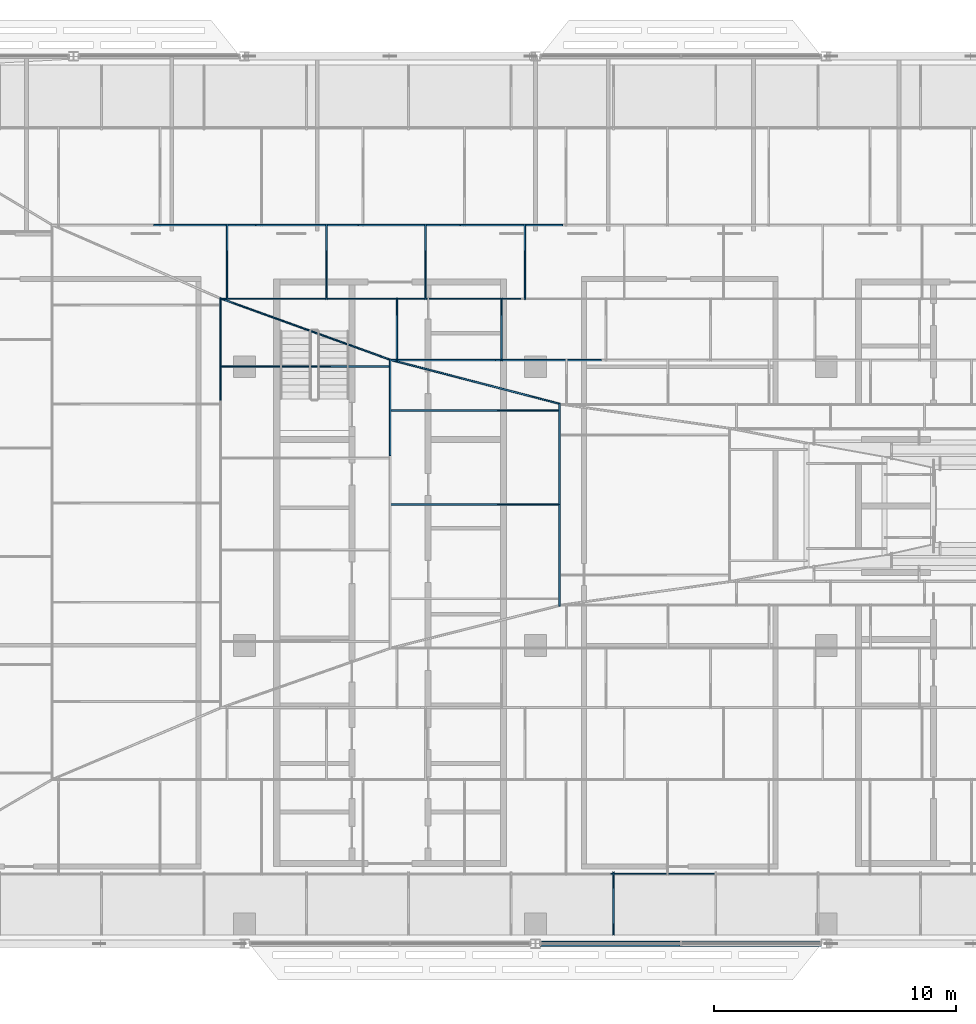
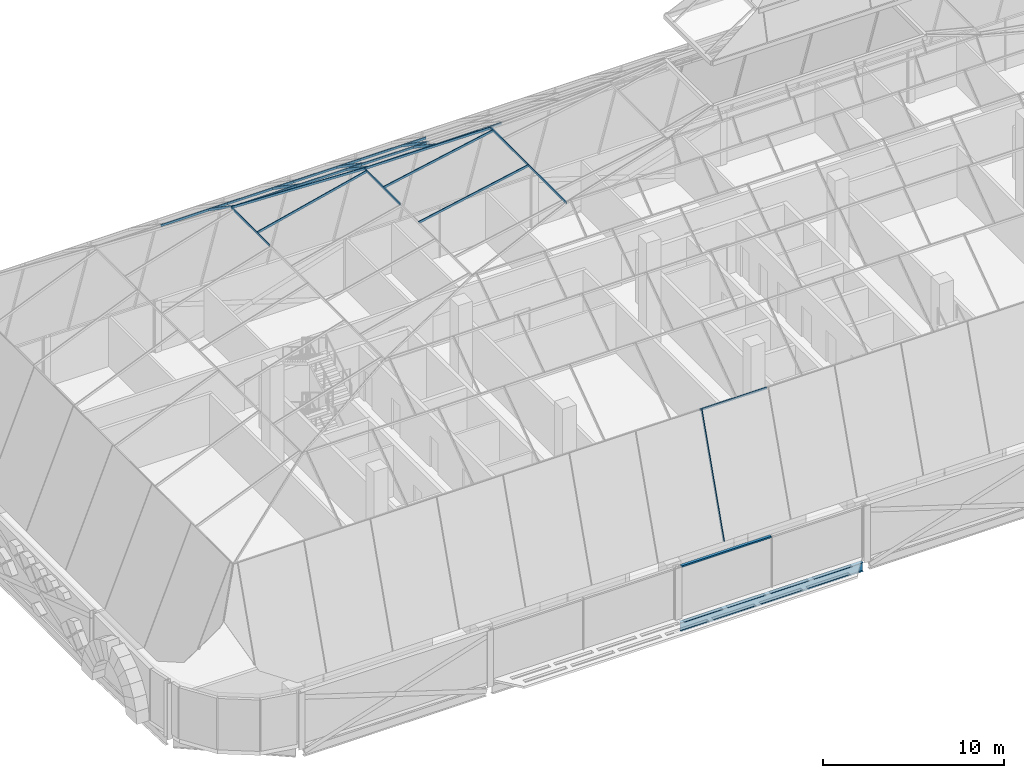
# One storey, part 8 of 39: 27 members, 1 beam, 9 elements without a shape of their own.
"""IFC4 building model written with IfcOpenShell, lengths in metres."""

from ifc_helpers import new_model, si_unit, direction, frame, origin, origin_2d, place, context, subcontext, project, spatial, rectangle, i_section, extrude, material, material_profile, profile_set, type_object, element, aggregate, save


model = new_model("IFC4")

# Units and contexts
model_context = context("Model", 3, precision=1e-05, world=origin(), true_north=direction((0.0, 1.0)))
body_context = subcontext(model_context, "Body", "Model", "MODEL_VIEW")
ifc_project = project(units=[si_unit("LENGTHUNIT", "METRE"), si_unit("AREAUNIT", "SQUARE_METRE"), si_unit("VOLUMEUNIT", "CUBIC_METRE"), si_unit("PLANEANGLEUNIT", "RADIAN"), si_unit("MASSUNIT", "GRAM", prefix="KILO")], contexts=[model_context])

# Site, building, storey
site_placement = place(None, origin())
site = spatial("IfcSite", under=ifc_project, at=site_placement, CompositionType="ELEMENT")
building_placement = place(site_placement, origin())
building = spatial("IfcBuilding", under=site, at=building_placement, Name="Mahtab Terrace Research Tower", CompositionType="ELEMENT")
storey_placement = place(building_placement, frame((0.0, 0.0, 282.300048828125)))
storey = spatial("IfcBuildingStorey", under=building, at=storey_placement, Name="L69", CompositionType="ELEMENT", Elevation=282.300048828125)

# Curtain wall, member
ifc_material_1 = material(Name="Crown faceted glass roof")
curtain_wall_type_1 = type_object("IfcCurtainWallType", Name="Crown faceted glass roof", PredefinedType="NOTDEFINED", material=ifc_material_1)
curtain_wall_1_placement = place(storey_placement, origin())
curtain_wall_1 = element("IfcCurtainWall", 1, at=curtain_wall_1_placement, inside=storey, type_object=curtain_wall_type_1, Name="CROWN.S0", PredefinedType="NOTDEFINED")
ifc_material_2 = material(Name="Natural anodised aluminium", Category="aluminium")
ifc_material_profile_1 = material_profile(ifc_material_2, rectangle(XDim=0.06005859375, YDim=0.139892578125, at=origin_2d()), Name="MULLION 60x140")
ifc_profile_set_1 = profile_set([ifc_material_profile_1], Name="Natural anodised aluminium")
member_type_1 = type_object("IfcMemberType", Name="Crown faceted glass roof mullion", PredefinedType="MULLION", material=ifc_profile_set_1)
member_1_placement = place(storey_placement, frame((-14.78271484375, -11.890625, 3.77783203125), z_axis=(0.0, 0.317653941865, 0.948206714392), x_axis=(-1.0, 0.0, 0.0)))
member_1 = element("IfcMember", 2, at=member_1_placement, type_object=member_type_1, Name="CWC-S1 mullion 8", PredefinedType="MULLION", context=body_context, shape_type="SweptSolid", body=[
    extrude(rectangle(XDim=0.06005859375, YDim=0.139892578125, at=origin_2d()), origin(), (0.0, 0.0, 1.0), 7.80419921875),
])
aggregate(curtain_wall_1, [member_1])

# Curtain wall, members
curtain_wall_2_placement = place(storey_placement, origin())
curtain_wall_2 = element("IfcCurtainWall", 3, at=curtain_wall_2_placement, inside=storey, type_object=curtain_wall_type_1, Name="CROWN.N2", PredefinedType="NOTDEFINED")
member_2_placement = place(storey_placement, frame((-30.72021484375, 17.344482421875, 13.9423828125), z_axis=(0.0, -0.822840996734, 0.568271672789), x_axis=(1.0, 0.0, 0.0)))
member_2 = element("IfcMember", 4, at=member_2_placement, type_object=member_type_1, Name="CWC-N3 mullion 1", PredefinedType="MULLION", context=body_context, shape_type="SweptSolid", body=[
    extrude(rectangle(XDim=0.06005859375, YDim=0.139892578125, at=origin_2d()), origin(), (0.0, 0.0, 1.0), 3.695068359375),
])
member_3_placement = place(storey_placement, frame((-26.6240234375, 17.344482421875, 13.9423828125), z_axis=(0.0, -0.822840996734, 0.568271672789), x_axis=(1.0, 0.0, 0.0)))
member_3 = element("IfcMember", 5, at=member_3_placement, type_object=member_type_1, Name="CWC-N3 mullion 2", PredefinedType="MULLION", context=body_context, shape_type="SweptSolid", body=[
    extrude(rectangle(XDim=0.06005859375, YDim=0.139892578125, at=origin_2d()), origin(), (0.0, 0.0, 1.0), 3.695068359375),
])
member_4_placement = place(storey_placement, frame((-22.528076171875, 17.344482421875, 13.9423828125), z_axis=(0.0, -0.822840996734, 0.568271672789), x_axis=(1.0, 0.0, 0.0)))
member_4 = element("IfcMember", 6, at=member_4_placement, type_object=member_type_1, Name="CWC-N3 mullion 3", PredefinedType="MULLION", context=body_context, shape_type="SweptSolid", body=[
    extrude(rectangle(XDim=0.06005859375, YDim=0.139892578125, at=origin_2d()), origin(), (0.0, 0.0, 1.0), 3.695068359375),
])
member_5_placement = place(storey_placement, frame((-18.43212890625, 17.344482421875, 13.9423828125), z_axis=(0.0, -0.822840996734, 0.568271672789), x_axis=(1.0, 0.0, 0.0)))
member_5 = element("IfcMember", 7, at=member_5_placement, type_object=member_type_1, Name="CWC-N3 mullion 4", PredefinedType="MULLION", context=body_context, shape_type="SweptSolid", body=[
    extrude(rectangle(XDim=0.06005859375, YDim=0.139892578125, at=origin_2d()), origin(), (0.0, 0.0, 1.0), 3.695068359375),
])

curtain_wall_3_placement = place(storey_placement, origin())
curtain_wall_3 = element("IfcCurtainWall", 8, at=curtain_wall_3_placement, inside=storey, type_object=curtain_wall_type_1, Name="CROWN.N3", PredefinedType="NOTDEFINED")
member_6_placement = place(storey_placement, frame((-23.715576171875, 14.3046875, 16.041748046875), z_axis=(0.0, -0.830073925035, 0.557653368121), x_axis=(1.0, 0.0, 0.0)))
member_6 = element("IfcMember", 9, at=member_6_placement, type_object=member_type_1, Name="CWC-N4 mullion 1", PredefinedType="MULLION", context=body_context, shape_type="SweptSolid", body=[
    extrude(rectangle(XDim=0.06005859375, YDim=0.139892578125, at=origin_2d()), origin(), (0.0, 0.0, 1.0), 3.048828125),
])
member_7_placement = place(storey_placement, frame((-19.40380859375, 14.3046875, 16.041748046875), z_axis=(0.0, -0.830073925035, 0.557653368121), x_axis=(1.0, 0.0, 0.0)))
member_7 = element("IfcMember", 10, at=member_7_placement, type_object=member_type_1, Name="CWC-N4 mullion 2", PredefinedType="MULLION", context=body_context, shape_type="SweptSolid", body=[
    extrude(rectangle(XDim=0.06005859375, YDim=0.139892578125, at=origin_2d()), origin(), (0.0, 0.0, 1.0), 3.048828125),
])

# Curtain wall, member
curtain_wall_4_placement = place(storey_placement, origin())
curtain_wall_4 = element("IfcCurtainWall", 11, at=curtain_wall_4_placement, inside=storey, type_object=curtain_wall_type_1, Name="CROWN.W3", PredefinedType="NOTDEFINED")
member_8_placement = place(storey_placement, frame((-31.003662109375, 11.512939453125, 16.031982421875), z_axis=(0.971791087506, 0.0, 0.235843342592), x_axis=(0.0, 1.0, 0.0)))
member_8 = element("IfcMember", 12, at=member_8_placement, type_object=member_type_1, Name="CWC-W4 mullion 4", PredefinedType="MULLION", context=body_context, shape_type="SweptSolid", body=[
    extrude(rectangle(XDim=0.06005859375, YDim=0.139892578125, at=origin_2d()), origin(), (0.0, 0.0, 1.0), 7.2080078125),
])

# Curtain wall, members
curtain_wall_5_placement = place(storey_placement, origin())
curtain_wall_5 = element("IfcCurtainWall", 13, at=curtain_wall_5_placement, inside=storey, type_object=curtain_wall_type_1, Name="CROWN.W4", PredefinedType="NOTDEFINED")
member_9_placement = place(storey_placement, frame((-24.001953125, 5.808349609375, 17.7314453125), z_axis=(0.980608271489, 0.0, 0.195978105633), x_axis=(0.0, 1.0, 0.0)))
member_9 = element("IfcMember", 14, at=member_9_placement, type_object=member_type_1, Name="CWC-W5 mullion 2", PredefinedType="MULLION", context=body_context, shape_type="SweptSolid", body=[
    extrude(rectangle(XDim=0.06005859375, YDim=0.139892578125, at=origin_2d()), origin(), (0.0, 0.0, 1.0), 7.14306640625),
])
member_10_placement = place(storey_placement, frame((-24.001953125, 9.692138671875, 17.7314453125), z_axis=(0.980608271489, 0.0, 0.195978105633), x_axis=(0.0, 1.0, 0.0)))
member_10 = element("IfcMember", 15, at=member_10_placement, type_object=member_type_1, Name="CWC-W5 mullion 3", PredefinedType="MULLION", context=body_context, shape_type="SweptSolid", body=[
    extrude(rectangle(XDim=0.06005859375, YDim=0.139892578125, at=origin_2d()), origin(), (0.0, 0.0, 1.0), 7.14306640625),
])

# Member
member_11_placement = place(storey_placement, frame((-31.011474609375, 14.3232421875, 16.033447265625), z_axis=(0.916909927481, -0.331277693642, 0.22255622791), x_axis=(0.33979992472, 0.940497746494, 0.0)))
member_11 = element("IfcMember", 16, at=member_11_placement, type_object=member_type_1, Name="CWC hip NW 4", PredefinedType="MULLION", context=body_context, shape_type="SweptSolid", body=[
    extrude(rectangle(XDim=0.06005859375, YDim=0.139892578125, at=origin_2d()), origin(), (0.0, 0.0, 1.0), 7.639404296875),
])

# Curtain wall, member
curtain_wall_6_placement = place(storey_placement, origin())
curtain_wall_6 = element("IfcCurtainWall", 17, at=curtain_wall_6_placement, inside=storey, type_object=curtain_wall_type_1, Name="CROWN.N4", PredefinedType="NOTDEFINED")
member_12_placement = place(storey_placement, frame((-24.00830078125, 11.790283203125, 17.734130859375), z_axis=(0.950220577545, -0.247010981782, 0.189911634425), x_axis=(0.251589614081, 0.967834007507, 0.0)))
member_12 = element("IfcMember", 18, at=member_12_placement, type_object=member_type_1, Name="CWC hip NW 5", PredefinedType="MULLION", context=body_context, shape_type="SweptSolid", body=[
    extrude(rectangle(XDim=0.06005859375, YDim=0.139892578125, at=origin_2d()), origin(), (0.0, 0.0, 1.0), 7.371337890625),
])

curtain_wall_7_placement = place(storey_placement, origin())
curtain_wall_7 = element("IfcCurtainWall", 19, at=curtain_wall_7_placement, inside=storey, type_object=curtain_wall_type_1, Name="CROWN.S1", PredefinedType="NOTDEFINED")
ifc_material_profile_2 = material_profile(ifc_material_2, rectangle(XDim=0.06005859375, YDim=0.139892578125, at=origin_2d()), Name="TRANSOM 60x140")
ifc_profile_set_2 = profile_set([ifc_material_profile_2], Name="Natural anodised aluminium")
member_type_2 = type_object("IfcMemberType", Name="Crown faceted glass roof transom", PredefinedType="USERDEFINED", material=ifc_profile_set_2)
member_13_placement = place(storey_placement, frame((-14.8828125, -9.421630859375, 11.158447265625), z_axis=(1.0, 0.0, 0.0), x_axis=(0.0, 1.0, 0.0)))
member_13 = element("IfcMember", 20, at=member_13_placement, type_object=member_type_2, Name="CWC-S2 transom 8", ObjectType="TRANSOM", PredefinedType="USERDEFINED", context=body_context, shape_type="SweptSolid", body=[
    extrude(rectangle(XDim=0.06005859375, YDim=0.139892578125, at=origin_2d()), origin(), (0.0, 0.0, 1.0), 4.252197265625),
])
aggregate(curtain_wall_7, [member_13])

# Member
member_14_placement = place(storey_placement, frame((-33.75732421875, 17.344482421875, 13.9423828125), z_axis=(1.0, 0.0, 0.0), x_axis=(0.0, 1.0, 0.0)))
member_14 = element("IfcMember", 21, at=member_14_placement, type_object=member_type_2, Name="CWC-N3 transom 2", ObjectType="TRANSOM", PredefinedType="USERDEFINED", context=body_context, shape_type="SweptSolid", body=[
    extrude(rectangle(XDim=0.06005859375, YDim=0.139892578125, at=origin_2d()), origin(), (0.0, 0.0, 1.0), 4.2197265625),
])

member_15_placement = place(storey_placement, frame((-29.53759765625, 17.344482421875, 13.9423828125), z_axis=(1.0, 0.0, 0.0), x_axis=(0.0, 1.0, 0.0)))
member_15 = element("IfcMember", 22, at=member_15_placement, type_object=member_type_2, Name="CWC-N3 transom 3", ObjectType="TRANSOM", PredefinedType="USERDEFINED", context=body_context, shape_type="SweptSolid", body=[
    extrude(rectangle(XDim=0.06005859375, YDim=0.139892578125, at=origin_2d()), origin(), (0.0, 0.0, 1.0), 4.219482421875),
])

member_16_placement = place(storey_placement, frame((-25.318115234375, 17.344482421875, 13.9423828125), z_axis=(1.0, 0.0, 0.0), x_axis=(0.0, 1.0, 0.0)))
member_16 = element("IfcMember", 23, at=member_16_placement, type_object=member_type_2, Name="CWC-N3 transom 4", ObjectType="TRANSOM", PredefinedType="USERDEFINED", context=body_context, shape_type="SweptSolid", body=[
    extrude(rectangle(XDim=0.06005859375, YDim=0.139892578125, at=origin_2d()), origin(), (0.0, 0.0, 1.0), 4.2197265625),
])

member_17_placement = place(storey_placement, frame((-21.098388671875, 17.344482421875, 13.9423828125), z_axis=(1.0, 0.0, 0.0), x_axis=(0.0, 1.0, 0.0)))
member_17 = element("IfcMember", 24, at=member_17_placement, type_object=member_type_2, Name="CWC-N3 transom 5", ObjectType="TRANSOM", PredefinedType="USERDEFINED", context=body_context, shape_type="SweptSolid", body=[
    extrude(rectangle(XDim=0.06005859375, YDim=0.139892578125, at=origin_2d()), origin(), (0.0, 0.0, 1.0), 4.2197265625),
])

aggregate(curtain_wall_2, [member_2, member_3, member_4, member_5, member_14, member_15, member_16, member_17])

member_18_placement = place(storey_placement, frame((-31.020263671875, 14.30419921875, 16.0419921875), z_axis=(1.0, 0.0, 0.0), x_axis=(0.0, 1.0, 0.0)))
member_18 = element("IfcMember", 25, at=member_18_placement, type_object=member_type_2, Name="CWC-N4 transom 1", ObjectType="TRANSOM", PredefinedType="USERDEFINED", context=body_context, shape_type="SweptSolid", body=[
    extrude(rectangle(XDim=0.06005859375, YDim=0.139892578125, at=origin_2d()), origin(), (0.0, 0.0, 1.0), 4.13623046875),
])

member_19_placement = place(storey_placement, frame((-26.884033203125, 14.30419921875, 16.0419921875), z_axis=(1.0, 0.0, 0.0), x_axis=(0.0, 1.0, 0.0)))
member_19 = element("IfcMember", 26, at=member_19_placement, type_object=member_type_2, Name="CWC-N4 transom 2", ObjectType="TRANSOM", PredefinedType="USERDEFINED", context=body_context, shape_type="SweptSolid", body=[
    extrude(rectangle(XDim=0.06005859375, YDim=0.139892578125, at=origin_2d()), origin(), (0.0, 0.0, 1.0), 4.135986328125),
])

member_20_placement = place(storey_placement, frame((-22.748046875, 14.30419921875, 16.0419921875), z_axis=(1.0, 0.0, 0.0), x_axis=(0.0, 1.0, 0.0)))
member_20 = element("IfcMember", 27, at=member_20_placement, type_object=member_type_2, Name="CWC-N4 transom 3", ObjectType="TRANSOM", PredefinedType="USERDEFINED", context=body_context, shape_type="SweptSolid", body=[
    extrude(rectangle(XDim=0.06005859375, YDim=0.139892578125, at=origin_2d()), origin(), (0.0, 0.0, 1.0), 4.135986328125),
])

aggregate(curtain_wall_3, [member_6, member_7, member_18, member_19, member_20, member_11])

member_21_placement = place(storey_placement, frame((-24.015625, 11.772216796875, 17.7431640625), z_axis=(1.0, 0.0, 0.0), x_axis=(0.0, 1.0, 0.0)))
member_21 = element("IfcMember", 28, at=member_21_placement, type_object=member_type_2, Name="CWC-N5 transom 1", ObjectType="TRANSOM", PredefinedType="USERDEFINED", context=body_context, shape_type="SweptSolid", body=[
    extrude(rectangle(XDim=0.06005859375, YDim=0.139892578125, at=origin_2d()), origin(), (0.0, 0.0, 1.0), 4.366455078125),
])

member_22_placement = place(storey_placement, frame((-19.649169921875, 11.772216796875, 17.7431640625), z_axis=(1.0, 0.0, 0.0), x_axis=(0.0, 1.0, 0.0)))
member_22 = element("IfcMember", 29, at=member_22_placement, type_object=member_type_2, Name="CWC-N5 transom 2", ObjectType="TRANSOM", PredefinedType="USERDEFINED", context=body_context, shape_type="SweptSolid", body=[
    extrude(rectangle(XDim=0.06005859375, YDim=0.139892578125, at=origin_2d()), origin(), (0.0, 0.0, 1.0), 4.366455078125),
])

aggregate(curtain_wall_6, [member_21, member_22, member_12])

member_23_placement = place(storey_placement, frame((-31.001708984375, 10.10595703125, 16.032470703125), z_axis=(0.0, 1.0, 0.0), x_axis=(-1.0, 0.0, 0.0)))
member_23 = element("IfcMember", 30, at=member_23_placement, type_object=member_type_2, Name="CWC-W4 transom 4", ObjectType="TRANSOM", PredefinedType="USERDEFINED", context=body_context, shape_type="SweptSolid", body=[
    extrude(rectangle(XDim=0.06005859375, YDim=0.139892578125, at=origin_2d()), origin(), (0.0, 0.0, 1.0), 4.23779296875),
])

aggregate(curtain_wall_4, [member_8, member_23])

member_24_placement = place(storey_placement, frame((-24.00048828125, 7.826416015625, 17.731689453125), z_axis=(0.0, 1.0, 0.0), x_axis=(-1.0, 0.0, 0.0)))
member_24 = element("IfcMember", 31, at=member_24_placement, type_object=member_type_2, Name="CWC-W5 transom 3", ObjectType="TRANSOM", PredefinedType="USERDEFINED", context=body_context, shape_type="SweptSolid", body=[
    extrude(rectangle(XDim=0.06005859375, YDim=0.139892578125, at=origin_2d()), origin(), (0.0, 0.0, 1.0), 3.986572265625),
])

aggregate(curtain_wall_5, [member_9, member_10, member_24])

# Curtain wall, members
curtain_wall_8_placement = place(storey_placement, origin())
curtain_wall_8 = element("IfcCurtainWall", 32, at=curtain_wall_8_placement, inside=storey, type_object=curtain_wall_type_1, Name="CROWN.W5", PredefinedType="NOTDEFINED")
member_25_placement = place(storey_placement, frame((-16.998291015625, 1.624267578125, 19.131103515625), z_axis=(0.0, 1.0, 0.0), x_axis=(-1.0, 0.0, 0.0)))
member_25 = element("IfcMember", 33, at=member_25_placement, type_object=member_type_2, Name="CWC-W6 transom 1", ObjectType="TRANSOM", PredefinedType="USERDEFINED", context=body_context, shape_type="SweptSolid", body=[
    extrude(rectangle(XDim=0.06005859375, YDim=0.139892578125, at=origin_2d()), origin(), (0.0, 0.0, 1.0), 4.18408203125),
])
member_26_placement = place(storey_placement, frame((-16.998291015625, 5.808349609375, 19.131103515625), z_axis=(0.0, 1.0, 0.0), x_axis=(-1.0, 0.0, 0.0)))
member_26 = element("IfcMember", 34, at=member_26_placement, type_object=member_type_2, Name="CWC-W6 transom 2", ObjectType="TRANSOM", PredefinedType="USERDEFINED", context=body_context, shape_type="SweptSolid", body=[
    extrude(rectangle(XDim=0.06005859375, YDim=0.139892578125, at=origin_2d()), origin(), (0.0, 0.0, 1.0), 4.183837890625),
])
aggregate(curtain_wall_8, [member_25, member_26])

# Curtain wall, member
ifc_material_3 = material(Name="Office ribbon curtain wall")
curtain_wall_type_2 = type_object("IfcCurtainWallType", Name="Office ribbon curtain wall", PredefinedType="NOTDEFINED", material=ifc_material_3)
curtain_wall_9_placement = place(storey_placement, origin())
curtain_wall_9 = element("IfcCurtainWall", 35, at=curtain_wall_9_placement, inside=storey, type_object=curtain_wall_type_2, Name="EN.L69.13.25", PredefinedType="NOTDEFINED")
ifc_material_profile_3 = material_profile(ifc_material_2, rectangle(XDim=0.179931640625, YDim=0.10009765625, at=origin_2d()), Name="TRANSOM 100x180")
ifc_profile_set_3 = profile_set([ifc_material_profile_3], Name="Natural anodised aluminium")
member_type_3 = type_object("IfcMemberType", Name="Office ribbon curtain wall transom", PredefinedType="USERDEFINED", material=ifc_profile_set_3)
member_27_placement = place(storey_placement, frame((-17.751953125, -12.306884765625, 3.409912109375), z_axis=(1.0, 0.0, 0.0), x_axis=(0.0, 1.0, 0.0)))
member_27 = element("IfcMember", 36, at=member_27_placement, type_object=member_type_3, Name="CWO-8 transom 1", ObjectType="TRANSOM", PredefinedType="USERDEFINED", context=body_context, shape_type="SweptSolid", body=[
    extrude(rectangle(XDim=0.179931640625, YDim=0.10009765625, at=origin_2d()), origin(), (0.0, 0.0, 1.0), 5.721923828125),
])
aggregate(curtain_wall_9, [member_27])

# Beam
ifc_material_4 = material(Name="Steel ASTM A992 Gr 50", Category="steel")
ifc_material_profile_4 = material_profile(ifc_material_4, i_section(OverallWidth=0.228271484375, OverallDepth=0.607177734375, WebThickness=0.01123046875, FlangeThickness=0.017333984375, at=origin_2d()), Name="W24X76")
ifc_profile_set_4 = profile_set([ifc_material_profile_4], Name="Steel ASTM A992 Gr 50")
beam_type = type_object("IfcBeamType", Name="W24x76 beam BS2476", PredefinedType="BEAM", material=ifc_profile_set_4)
beam_placement = place(storey_placement, frame((-17.80322265625, -12.306884765625, -0.6435546875), z_axis=(1.0, 0.0, 0.0), x_axis=(0.0, 1.0, 0.0)))
element("IfcBeam", 37, at=beam_placement, inside=storey, type_object=beam_type, Name="Spandrel beam L69 16", PredefinedType="BEAM", context=body_context, shape_type="SweptSolid", body=[
    extrude(i_section(OverallWidth=0.228271484375, OverallDepth=0.607177734375, WebThickness=0.01123046875, FlangeThickness=0.017333984375, at=origin_2d()), origin(), (0.0, 0.0, 1.0), 11.6064453125),
])

save(model, "model.ifc")
